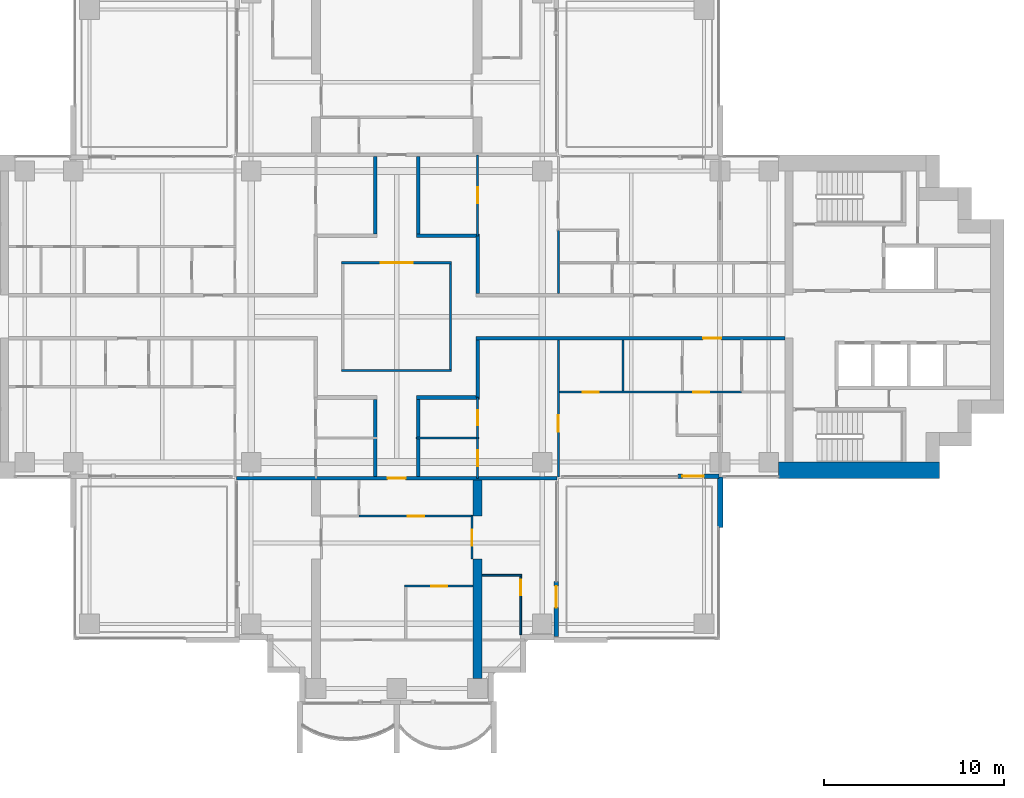
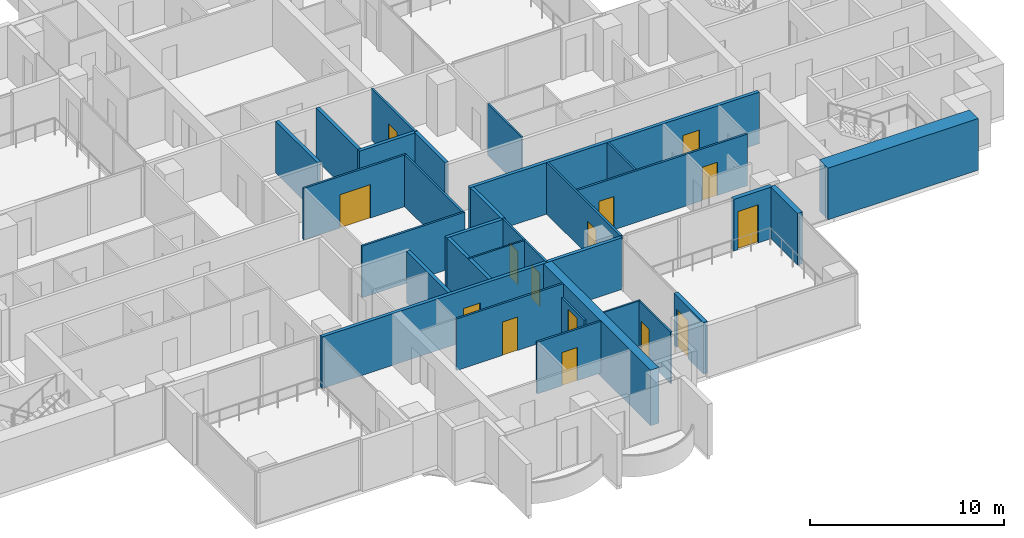
# One storey, part 11 of 19: 31 walls, 15 doors, 15 openings.
"""IFC4 building model written with IfcOpenShell, lengths in metres."""

from ifc_helpers import new_model, si_unit, direction, frame, frame_2d, origin, place, context, subcontext, project, spatial, polyline, rectangle, outline, extrude, material, layer, layer_set, material_profile, profile_set, type_object, element, fill, save


model = new_model("IFC4")

# Units and contexts
model_context = context("Model", 3, precision=1e-05, world=origin(), true_north=direction((0.0, 1.0)))
body_context = subcontext(model_context, "Body", "Model", "MODEL_VIEW")
ifc_project = project(units=[si_unit("LENGTHUNIT", "METRE"), si_unit("AREAUNIT", "SQUARE_METRE"), si_unit("VOLUMEUNIT", "CUBIC_METRE"), si_unit("PLANEANGLEUNIT", "RADIAN"), si_unit("MASSUNIT", "GRAM", prefix="KILO")], contexts=[model_context])

# Site, building, storey
site_placement = place(None, origin())
site = spatial("IfcSite", under=ifc_project, at=site_placement, CompositionType="ELEMENT")
building_placement = place(site_placement, origin())
building = spatial("IfcBuilding", under=site, at=building_placement, Name="Perihelion Cross Residences", CompositionType="ELEMENT")
storey_placement = place(building_placement, frame((0.0, 0.0, 144.39990234375)))
storey = spatial("IfcBuildingStorey", under=building, at=storey_placement, Name="L35", CompositionType="ELEMENT", Elevation=144.39990234375)

# Walls
ifc_material_1 = material(Name="Plasterboard partition")
ifc_layer_1 = layer(ifc_material_1, 0.199951171875)
ifc_layer_set_1 = layer_set([ifc_layer_1], Name="Apartment separation wall 200")
wall_type_1 = type_object("IfcWallType", Name="Apartment separation wall 200", PredefinedType="PARTITIONING", material=ifc_layer_set_1)
wall_1_placement = place(storey_placement, frame((4.5, 4.5, 0.0), z_axis=(0.0, 0.0, 1.0), x_axis=(0.0, -1.0, 0.0)))
element("IfcWall", 1, at=wall_1_placement, inside=storey, type_object=wall_type_1, Name="Partition L35 W006", PredefinedType="PARTITIONING", context=body_context, shape_type="SweptSolid", body=[
    extrude(rectangle(XDim=3.199951171875, YDim=0.199951171875, at=frame_2d((1.60009765625, 0.0))), origin(), (0.0, 0.0, 1.0), 3.25),
])
wall_2_placement = place(storey_placement, frame((1.199951171875, 8.89990234375, 0.0), z_axis=(0.0, 0.0, 1.0), x_axis=(0.0, -1.0, 0.0)))
element("IfcWall", 2, at=wall_2_placement, inside=storey, type_object=wall_type_1, Name="Partition L35 W007", PredefinedType="PARTITIONING", context=body_context, shape_type="SweptSolid", body=[
    extrude(rectangle(XDim=4.2998046875, YDim=0.199951171875, at=frame_2d((2.14990234375, 0.0))), origin(), (0.0, 0.0, 1.0), 3.25),
])
wall_3_placement = place(storey_placement, frame((1.10009765625, 4.5, 0.0), z_axis=(0.0, 0.0, 1.0), x_axis=(1.0, 0.0, 0.0)))
element("IfcWall", 3, at=wall_3_placement, inside=storey, type_object=wall_type_1, Name="Partition L35 W008", PredefinedType="PARTITIONING", context=body_context, shape_type="SweptSolid", body=[
    extrude(rectangle(XDim=3.5, YDim=0.199951171875, at=frame_2d((1.75, 0.0))), origin(), (0.0, 0.0, 1.0), 3.25),
])

# Wall, opening, door
wall_4_placement = place(storey_placement, frame((21.60009765625, -1.199951171875, 0.0), z_axis=(0.0, 0.0, 1.0), x_axis=(-1.0, 0.0, 0.0)))
wall_4 = element("IfcWall", 4, at=wall_4_placement, inside=storey, type_object=wall_type_1, Name="Partition L35 W009", PredefinedType="PARTITIONING", context=body_context, shape_type="SweptSolid", body=[
    extrude(rectangle(XDim=17.2001953125, YDim=0.199951171875, at=frame_2d((8.60009765625, 0.0))), origin(), (0.0, 0.0, 1.0), 3.25),
])
opening_1_placement = place(wall_4_placement, frame((3.550048828125, 0.0, 0.0)))
opening_1 = element("IfcOpeningElement", 5, at=opening_1_placement, cuts=wall_4, Name="Opening L35.A51", PredefinedType="OPENING", context=body_context, shape_type="SweptSolid", body=[
    extrude(rectangle(XDim=1.0, YDim=2.10009765625, at=frame_2d((0.5, 1.050048828125))), frame((0.0, 0.10986328125, 0.0), z_axis=(0.0, -1.0, 0.0), x_axis=(1.0, 0.0, 0.0)), (0.0, 0.0, 1.0), 0.219970703125),
])
ifc_material_2 = material(Name="Timber door leaf", Category="wood")
door_type_1 = type_object("IfcDoorType", Name="Flat entrance door 1000 x 2100", OperationType="SINGLE_SWING_LEFT", PredefinedType="DOOR", material=ifc_material_2)
door_1_placement = place(opening_1_placement, origin())
door_1 = element("IfcDoor", 6, at=door_1_placement, inside=storey, type_object=door_type_1, Name="Door L35.A51", OperationType="SINGLE_SWING_LEFT", OverallHeight=2.10009765625, OverallWidth=1.0, PredefinedType="DOOR", context=body_context, shape_type="SweptSolid", body=[
    extrude(rectangle(XDim=1.0, YDim=2.10009765625, at=frame_2d((0.5, 1.050048828125))), frame((0.0, 0.02490234375, 0.0), z_axis=(0.0, -1.0, 0.0), x_axis=(1.0, 0.0, 0.0)), (0.0, 0.0, 1.0), 0.050048828125),
])
fill(opening_1, door_1)

# Walls
wall_5_placement = place(storey_placement, frame((4.5, -1.300048828125, 0.0), z_axis=(0.0, 0.0, 1.0), x_axis=(0.0, -1.0, 0.0)))
element("IfcWall", 7, at=wall_5_placement, inside=storey, type_object=wall_type_1, Name="Partition L35 W010", PredefinedType="PARTITIONING", context=body_context, shape_type="SweptSolid", body=[
    extrude(rectangle(XDim=3.199951171875, YDim=0.199951171875, at=frame_2d((1.60009765625, 0.0))), origin(), (0.0, 0.0, 1.0), 3.25),
])
wall_6_placement = place(storey_placement, frame((4.60009765625, -4.5, 0.0), z_axis=(0.0, 0.0, 1.0), x_axis=(-1.0, 0.0, 0.0)))
element("IfcWall", 8, at=wall_6_placement, inside=storey, type_object=wall_type_1, Name="Partition L35 W011", PredefinedType="PARTITIONING", context=body_context, shape_type="SweptSolid", body=[
    extrude(rectangle(XDim=3.5, YDim=0.199951171875, at=frame_2d((1.75, 0.0))), origin(), (0.0, 0.0, 1.0), 3.25),
])
for number, where, z_axis, x_axis, name in (
    (9, (1.199951171875, -4.60009765625, 0.0), (0.0, 0.0, 1.0), (0.0, -1.0, 0.0), "Partition L35 W012"),
    (10, (-1.199951171875, 4.60009765625, 0.0), (0.0, 0.0, 1.0), (0.0, 1.0, 0.0), "Partition L35 W016"),
    (11, (-1.199951171875, -8.89990234375, 0.0), (0.0, 0.0, 1.0), (0.0, 1.0, 0.0), "Partition L35 W019"),
):
    element("IfcWall", number, at=place(storey_placement, frame(where, z_axis=z_axis, x_axis=x_axis)), inside=storey, type_object=wall_type_1, Name=name, PredefinedType="PARTITIONING", context=body_context, shape_type="SweptSolid", body=[
        extrude(rectangle(XDim=4.2998046875, YDim=0.199951171875, at=frame_2d((2.14990234375, 0.0))), origin(), (0.0, 0.0, 1.0), 3.25),
    ])

# Wall, opening, door
wall_7_placement = place(storey_placement, frame((8.919921875, -9.0, 0.0), z_axis=(0.0, 0.0, 1.0), x_axis=(-1.0, 0.0, 0.0)))
wall_7 = element("IfcWall", 12, at=wall_7_placement, inside=storey, type_object=wall_type_1, Name="Partition L35 W022", PredefinedType="PARTITIONING", context=body_context, shape_type="SweptSolid", body=[
    extrude(rectangle(XDim=17.83984375, YDim=0.199951171875, at=frame_2d((8.919921875, 0.0))), origin(), (0.0, 0.0, 1.0), 3.25),
])
opening_2_placement = place(wall_7_placement, frame((8.419921875, 0.0, 0.0)))
opening_2 = element("IfcOpeningElement", 13, at=opening_2_placement, cuts=wall_7, Name="Opening L35.A44", PredefinedType="OPENING", context=body_context, shape_type="SweptSolid", body=[
    extrude(rectangle(XDim=1.0, YDim=2.10009765625, at=frame_2d((0.5, 1.050048828125))), frame((0.0, 0.10986328125, 0.0), z_axis=(0.0, -1.0, 0.0), x_axis=(1.0, 0.0, 0.0)), (0.0, 0.0, 1.0), 0.219970703125),
])
door_2_placement = place(opening_2_placement, origin())
door_2 = element("IfcDoor", 14, at=door_2_placement, inside=storey, type_object=door_type_1, Name="Door L35.A44", OperationType="SINGLE_SWING_RIGHT", OverallHeight=2.10009765625, OverallWidth=1.0, PredefinedType="DOOR", context=body_context, shape_type="SweptSolid", body=[
    extrude(rectangle(XDim=1.0, YDim=2.10009765625, at=frame_2d((0.5, 1.050048828125))), frame((0.0, 0.02490234375, 0.0), z_axis=(0.0, -1.0, 0.0), x_axis=(1.0, 0.0, 0.0)), (0.0, 0.0, 1.0), 0.050048828125),
])
fill(opening_2, door_2)

ifc_material_3 = material(Name="Concrete C30/37, bronze-clad", Category="concrete")
ifc_layer_2 = layer(ifc_material_3, 0.25)
ifc_layer_set_2 = layer_set([ifc_layer_2], Name="Bronze-clad pier wall 250")
wall_type_2 = type_object("IfcWallType", Name="Bronze-clad pier wall 250", PredefinedType="SOLIDWALL", material=ifc_layer_set_2)
wall_8_placement = place(storey_placement, frame((8.875, -17.800048828125, 0.0), z_axis=(0.0, 0.0, 1.0), x_axis=(0.0, 1.0, 0.0)))
wall_8 = element("IfcWall", 15, at=wall_8_placement, inside=storey, type_object=wall_type_2, Name="Wall FW1 L35 south side east bay 1 pier", PredefinedType="SOLIDWALL", context=body_context, shape_type="SweptSolid", body=[
    extrude(rectangle(XDim=3.050048828125, YDim=0.25, at=frame_2d((1.52490234375, 0.0))), origin(), (0.0, 0.0, 1.0), 3.25),
])
opening_3_placement = place(wall_8_placement, frame((1.60009765625, 0.0, 0.0)))
opening_3 = element("IfcOpeningElement", 16, at=opening_3_placement, cuts=wall_8, Name="Opening L35.E13", PredefinedType="OPENING", context=body_context, shape_type="SweptSolid", body=[
    extrude(rectangle(XDim=1.199951171875, YDim=2.39990234375, at=frame_2d((0.60009765625, 1.199951171875))), frame((0.0, 0.135009765625, 0.0), z_axis=(0.0, -1.0, 0.0), x_axis=(1.0, 0.0, 0.0)), (0.0, 0.0, 1.0), 0.27001953125),
])
ifc_material_4 = material(Name="Bronze anodised aluminium, glazed", Category="aluminium")
door_type_2 = type_object("IfcDoorType", Name="Balcony door 1200 x 2400", OperationType="NOTDEFINED", PredefinedType="DOOR", material=ifc_material_4)
door_3_placement = place(opening_3_placement, origin())
door_3 = element("IfcDoor", 17, at=door_3_placement, inside=storey, type_object=door_type_2, Name="Door L35.E13 south side east bay 1", OperationType="SINGLE_SWING_RIGHT", OverallHeight=2.39990234375, OverallWidth=1.199951171875, PredefinedType="DOOR", context=body_context, shape_type="SweptSolid", body=[
    extrude(rectangle(XDim=1.199951171875, YDim=2.39990234375, at=frame_2d((0.60009765625, 1.199951171875))), frame((0.0, 0.02490234375, 0.0), z_axis=(0.0, -1.0, 0.0), x_axis=(1.0, 0.0, 0.0)), (0.0, 0.0, 1.0), 0.050048828125),
])
fill(opening_3, door_3)

wall_9_placement = place(storey_placement, frame((15.64990234375, -8.875, 0.0), z_axis=(0.0, 0.0, 1.0), x_axis=(1.0, 0.0, 0.0)))
wall_9 = element("IfcWall", 18, at=wall_9_placement, inside=storey, type_object=wall_type_2, Name="Wall FW1 L35 east side south bay 1 pier", PredefinedType="SOLIDWALL", context=body_context, shape_type="SweptSolid", body=[
    extrude(rectangle(XDim=2.2900390625, YDim=0.25, at=frame_2d((1.14501953125, 0.0))), origin(), (0.0, 0.0, 1.0), 3.25),
])
opening_4_placement = place(wall_9_placement, frame((0.25, 0.0, 0.0)))
opening_4 = element("IfcOpeningElement", 19, at=opening_4_placement, cuts=wall_9, Name="Opening L35.E14", PredefinedType="OPENING", context=body_context, shape_type="SweptSolid", body=[
    extrude(rectangle(XDim=1.199951171875, YDim=2.39990234375, at=frame_2d((0.60009765625, 1.199951171875))), frame((0.0, 0.135009765625, 0.0), z_axis=(0.0, -1.0, 0.0), x_axis=(1.0, 0.0, 0.0)), (0.0, 0.0, 1.0), 0.27001953125),
])
door_4_placement = place(opening_4_placement, origin())
door_4 = element("IfcDoor", 20, at=door_4_placement, inside=storey, type_object=door_type_2, Name="Door L35.E14 east side south bay 1", OperationType="SINGLE_SWING_LEFT", OverallHeight=2.39990234375, OverallWidth=1.199951171875, PredefinedType="DOOR", context=body_context, shape_type="SweptSolid", body=[
    extrude(rectangle(XDim=1.199951171875, YDim=2.39990234375, at=frame_2d((0.60009765625, 1.199951171875))), frame((0.0, 0.02490234375, 0.0), z_axis=(0.0, -1.0, 0.0), x_axis=(1.0, 0.0, 0.0)), (0.0, 0.0, 1.0), 0.050048828125),
])
fill(opening_4, door_4)

# Wall
ifc_material_5 = material(Name="Concrete C60/75", Category="concrete")
ifc_layer_3 = layer(ifc_material_5, 0.89990234375)
ifc_layer_set_3 = layer_set([ifc_layer_3], Name="Core wall, outer 900")
wall_type_3 = type_object("IfcWallType", Name="Core wall, outer 900", PredefinedType="SHEAR", material=ifc_layer_set_3)
wall_10_placement = place(storey_placement, frame((21.25, -8.550048828125, 0.0), z_axis=(0.0, 0.0, 1.0), x_axis=(1.0, 0.0, 0.0)))
element("IfcWall", 21, at=wall_10_placement, inside=storey, type_object=wall_type_3, Name="East core core wall, outer", PredefinedType="SHEAR", context=body_context, shape_type="SweptSolid", body=[
    extrude(rectangle(XDim=8.949951171875, YDim=0.89990234375, at=frame_2d((4.47509765625, 0.0))), origin(), (0.0, 0.0, 1.0), 3.25),
])

# Wall, opening, door
ifc_material_6 = material(Name="Plasterboard partition")
ifc_layer_4 = layer(ifc_material_6, 0.1201171875)
ifc_layer_set_4 = layer_set([ifc_layer_4], Name="Infill panel 120")
wall_type_4 = type_object("IfcWallType", Name="Infill panel 120", PredefinedType="PARTITIONING", material=ifc_layer_set_4)
wall_11_placement = place(storey_placement, frame((4.18994140625, -11.10009765625, 0.0), z_axis=(0.0, 0.0, 1.0), x_axis=(0.0, -1.0, 0.0)))
wall_11 = element("IfcWall", 22, at=wall_11_placement, inside=storey, type_object=wall_type_4, Name="Partition L35 WI05", PredefinedType="PARTITIONING", context=body_context, shape_type="SweptSolid", body=[
    extrude(rectangle(XDim=2.39990234375, YDim=0.1201171875, at=frame_2d((1.199951171875, 0.0))), origin(), (0.0, 0.0, 1.0), 2.400146484375),
])
opening_5_placement = place(wall_11_placement, frame((0.75, 0.0, 0.0)))
opening_5 = element("IfcOpeningElement", 23, at=opening_5_placement, cuts=wall_11, Name="Opening L35.A58", PredefinedType="OPENING", context=body_context, shape_type="SweptSolid", body=[
    extrude(rectangle(XDim=0.89990234375, YDim=2.10009765625, at=frame_2d((0.449951171875, 1.050048828125))), frame((0.0, 0.070068359375, 0.0), z_axis=(0.0, -1.0, 0.0), x_axis=(1.0, 0.0, 0.0)), (0.0, 0.0, 1.0), 0.14013671875),
])
ifc_material_7 = material(Name="Timber door leaf", Category="wood")
door_type_3 = type_object("IfcDoorType", Name="Interior room door 900 x 2100", OperationType="SINGLE_SWING_LEFT", PredefinedType="DOOR", material=ifc_material_7)
door_5_placement = place(opening_5_placement, origin())
door_5 = element("IfcDoor", 24, at=door_5_placement, inside=storey, type_object=door_type_3, Name="Door L35.A58", OperationType="SINGLE_SWING_LEFT", OverallHeight=2.10009765625, OverallWidth=0.89990234375, PredefinedType="DOOR", context=body_context, shape_type="SweptSolid", body=[
    extrude(rectangle(XDim=0.89990234375, YDim=2.10009765625, at=frame_2d((0.449951171875, 1.050048828125))), frame((0.0, 0.02490234375, 0.0), z_axis=(0.0, -1.0, 0.0), x_axis=(1.0, 0.0, 0.0)), (0.0, 0.0, 1.0), 0.050048828125),
])
fill(opening_5, door_5)

# Walls
ifc_material_8 = material(Name="Plasterboard partition")
ifc_layer_5 = layer(ifc_material_8, 0.1201171875)
ifc_layer_set_5 = layer_set([ifc_layer_5], Name="Partition wall 120")
wall_type_5 = type_object("IfcWallType", Name="Partition wall 120", PredefinedType="PARTITIONING", material=ifc_layer_set_5)
wall_12_placement = place(storey_placement, frame((-3.06005859375, -3.0, 0.0), z_axis=(0.0, 0.0, 1.0), x_axis=(1.0, 0.0, 0.0)))
element("IfcWall", 25, at=wall_12_placement, inside=storey, type_object=wall_type_5, Name="Partition L35 W001", PredefinedType="PARTITIONING", context=body_context, shape_type="SweptSolid", body=[
    extrude(rectangle(XDim=6.1201171875, YDim=0.1201171875, at=frame_2d((3.06005859375, 0.0))), origin(), (0.0, 0.0, 1.0), 3.25),
])
wall_13_placement = place(storey_placement, frame((3.0, -2.93994140625, 0.0), z_axis=(0.0, 0.0, 1.0), x_axis=(0.0, 1.0, 0.0)))
element("IfcWall", 26, at=wall_13_placement, inside=storey, type_object=wall_type_5, Name="Partition L35 W002", PredefinedType="PARTITIONING", context=body_context, shape_type="SweptSolid", body=[
    extrude(rectangle(XDim=5.8798828125, YDim=0.1201171875, at=frame_2d((2.93994140625, 0.0))), origin(), (0.0, 0.0, 1.0), 3.25),
])

# Wall, opening, door
wall_14_placement = place(storey_placement, frame((3.06005859375, 3.0, 0.0), z_axis=(0.0, 0.0, 1.0), x_axis=(-1.0, 0.0, 0.0)))
wall_14 = element("IfcWall", 27, at=wall_14_placement, inside=storey, type_object=wall_type_5, Name="Partition L35 W003", PredefinedType="PARTITIONING", context=body_context, shape_type="SweptSolid", body=[
    extrude(rectangle(XDim=6.1201171875, YDim=0.1201171875, at=frame_2d((3.06005859375, 0.0))), origin(), (0.0, 0.0, 1.0), 3.25),
])
opening_6_placement = place(wall_14_placement, frame((2.159912109375, 0.0, 0.0)))
opening_6 = element("IfcOpeningElement", 28, at=opening_6_placement, cuts=wall_14, Name="Opening L35.A01", PredefinedType="OPENING", context=body_context, shape_type="SweptSolid", body=[
    extrude(rectangle(XDim=1.800048828125, YDim=2.10009765625, at=frame_2d((0.89990234375, 1.050048828125))), frame((0.0, 0.070068359375, 0.0), z_axis=(0.0, -1.0, 0.0), x_axis=(1.0, 0.0, 0.0)), (0.0, 0.0, 1.0), 0.14013671875),
])
ifc_material_9 = material(Name="Glazed timber door leaf", Category="wood")
door_type_4 = type_object("IfcDoorType", Name="Interior double leaf door 1800 x 2100", OperationType="DOUBLE_DOOR_SINGLE_SWING", PredefinedType="DOOR", material=ifc_material_9)
door_6_placement = place(opening_6_placement, origin())
door_6 = element("IfcDoor", 29, at=door_6_placement, inside=storey, type_object=door_type_4, Name="Door L35.A01", OperationType="SINGLE_SWING_LEFT", OverallHeight=2.10009765625, OverallWidth=1.800048828125, PredefinedType="DOOR", context=body_context, shape_type="SweptSolid", body=[
    extrude(rectangle(XDim=1.800048828125, YDim=2.10009765625, at=frame_2d((0.89990234375, 1.050048828125))), frame((0.0, 0.02490234375, 0.0), z_axis=(0.0, -1.0, 0.0), x_axis=(1.0, 0.0, 0.0)), (0.0, 0.0, 1.0), 0.050048828125),
])
fill(opening_6, door_6)

wall_15_placement = place(storey_placement, frame((4.5, 4.5, 0.0), z_axis=(0.0, 0.0, 1.0), x_axis=(0.0, 1.0, 0.0)))
wall_15 = element("IfcWall", 30, at=wall_15_placement, inside=storey, type_object=wall_type_5, Name="Partition L35 W033", PredefinedType="PARTITIONING", context=body_context, shape_type="SweptSolid", body=[
    extrude(rectangle(XDim=4.5, YDim=0.1201171875, at=frame_2d((2.25, 0.0))), origin(), (0.0, 0.0, 1.0), 3.25),
])
opening_7_placement = place(wall_15_placement, frame((1.800048828125, 0.0, 0.0)))
opening_7 = element("IfcOpeningElement", 31, at=opening_7_placement, cuts=wall_15, Name="Opening L35.A03", PredefinedType="OPENING", context=body_context, shape_type="SweptSolid", body=[
    extrude(rectangle(XDim=0.89990234375, YDim=2.10009765625, at=frame_2d((0.449951171875, 1.050048828125))), frame((0.0, 0.070068359375, 0.0), z_axis=(0.0, -1.0, 0.0), x_axis=(1.0, 0.0, 0.0)), (0.0, 0.0, 1.0), 0.14013671875),
])
door_7_placement = place(opening_7_placement, origin())
door_7 = element("IfcDoor", 32, at=door_7_placement, inside=storey, type_object=door_type_3, Name="Door L35.A03", OperationType="SINGLE_SWING_LEFT", OverallHeight=2.10009765625, OverallWidth=0.89990234375, PredefinedType="DOOR", context=body_context, shape_type="SweptSolid", body=[
    extrude(rectangle(XDim=0.89990234375, YDim=2.10009765625, at=frame_2d((0.449951171875, 1.050048828125))), frame((0.0, 0.02490234375, 0.0), z_axis=(0.0, -1.0, 0.0), x_axis=(1.0, 0.0, 0.0)), (0.0, 0.0, 1.0), 0.050048828125),
])
fill(opening_7, door_7)

# Wall
wall_16_placement = place(storey_placement, frame((12.60009765625, -1.300048828125, 0.0), z_axis=(0.0, 0.0, 1.0), x_axis=(0.0, -1.0, 0.0)))
element("IfcWall", 33, at=wall_16_placement, inside=storey, type_object=wall_type_5, Name="Partition L35 W034", PredefinedType="PARTITIONING", context=body_context, shape_type="SweptSolid", body=[
    extrude(rectangle(XDim=2.83984375, YDim=0.1201171875, at=frame_2d((1.419921875, 0.0))), origin(), (0.0, 0.0, 1.0), 3.25),
])

# Wall, openings, doors
wall_17_placement = place(storey_placement, frame((19.199951171875, -4.199951171875, 0.0), z_axis=(0.0, 0.0, 1.0), x_axis=(-1.0, 0.0, 0.0)))
wall_17 = element("IfcWall", 34, at=wall_17_placement, inside=storey, type_object=wall_type_5, Name="Partition L35 W035", PredefinedType="PARTITIONING", context=body_context, shape_type="SweptSolid", body=[
    extrude(rectangle(XDim=10.260009765625, YDim=0.1201171875, at=frame_2d((5.1298828125, 0.0))), origin(), (0.0, 0.0, 1.0), 3.25),
])
opening_8_placement = place(wall_17_placement, frame((1.800048828125, 0.0, 0.0)))
opening_8 = element("IfcOpeningElement", 35, at=opening_8_placement, cuts=wall_17, Name="Opening L35.A17", PredefinedType="OPENING", context=body_context, shape_type="SweptSolid", body=[
    extrude(rectangle(XDim=0.89990234375, YDim=2.10009765625, at=frame_2d((0.449951171875, 1.050048828125))), frame((0.0, 0.070068359375, 0.0), z_axis=(0.0, -1.0, 0.0), x_axis=(1.0, 0.0, 0.0)), (0.0, 0.0, 1.0), 0.14013671875),
])
opening_9_placement = place(wall_17_placement, frame((7.949951171875, 0.0, 0.0)))
opening_9 = element("IfcOpeningElement", 36, at=opening_9_placement, cuts=wall_17, Name="Opening L35.A18", PredefinedType="OPENING", context=body_context, shape_type="SweptSolid", body=[
    extrude(rectangle(XDim=0.89990234375, YDim=2.10009765625, at=frame_2d((0.449951171875, 1.050048828125))), frame((0.0, 0.070068359375, 0.0), z_axis=(0.0, -1.0, 0.0), x_axis=(1.0, 0.0, 0.0)), (0.0, 0.0, 1.0), 0.14013671875),
])
door_8_placement = place(opening_8_placement, origin())
door_8 = element("IfcDoor", 37, at=door_8_placement, inside=storey, type_object=door_type_3, Name="Door L35.A17", OperationType="SINGLE_SWING_LEFT", OverallHeight=2.10009765625, OverallWidth=0.89990234375, PredefinedType="DOOR", context=body_context, shape_type="SweptSolid", body=[
    extrude(rectangle(XDim=0.89990234375, YDim=2.10009765625, at=frame_2d((0.449951171875, 1.050048828125))), frame((0.0, 0.02490234375, 0.0), z_axis=(0.0, -1.0, 0.0), x_axis=(1.0, 0.0, 0.0)), (0.0, 0.0, 1.0), 0.050048828125),
])
fill(opening_8, door_8)
door_9_placement = place(opening_9_placement, origin())
door_9 = element("IfcDoor", 38, at=door_9_placement, inside=storey, type_object=door_type_3, Name="Door L35.A18", OperationType="SINGLE_SWING_RIGHT", OverallHeight=2.10009765625, OverallWidth=0.89990234375, PredefinedType="DOOR", context=body_context, shape_type="SweptSolid", body=[
    extrude(rectangle(XDim=0.89990234375, YDim=2.10009765625, at=frame_2d((0.449951171875, 1.050048828125))), frame((0.0, 0.02490234375, 0.0), z_axis=(0.0, -1.0, 0.0), x_axis=(1.0, 0.0, 0.0)), (0.0, 0.0, 1.0), 0.050048828125),
])
fill(opening_9, door_9)

# Wall, opening, door
wall_18_placement = place(storey_placement, frame((9.0, -8.919921875, 0.0), z_axis=(0.0, 0.0, 1.0), x_axis=(0.0, 1.0, 0.0)))
wall_18 = element("IfcWall", 39, at=wall_18_placement, inside=storey, type_object=wall_type_5, Name="Partition L35 W036", PredefinedType="PARTITIONING", context=body_context, shape_type="SweptSolid", body=[
    extrude(rectangle(XDim=7.619873046875, YDim=0.1201171875, at=frame_2d((3.81005859375, 0.0))), origin(), (0.0, 0.0, 1.0), 3.25),
])
opening_10_placement = place(wall_18_placement, frame((2.52001953125, 0.0, 0.0)))
opening_10 = element("IfcOpeningElement", 40, at=opening_10_placement, cuts=wall_18, Name="Opening L35.A12", PredefinedType="OPENING", context=body_context, shape_type="SweptSolid", body=[
    extrude(rectangle(XDim=0.89990234375, YDim=2.10009765625, at=frame_2d((0.449951171875, 1.050048828125))), frame((0.0, 0.070068359375, 0.0), z_axis=(0.0, -1.0, 0.0), x_axis=(1.0, 0.0, 0.0)), (0.0, 0.0, 1.0), 0.14013671875),
])
door_10_placement = place(opening_10_placement, origin())
door_10 = element("IfcDoor", 41, at=door_10_placement, inside=storey, type_object=door_type_3, Name="Door L35.A12", OperationType="SINGLE_SWING_RIGHT", OverallHeight=2.10009765625, OverallWidth=0.89990234375, PredefinedType="DOOR", context=body_context, shape_type="SweptSolid", body=[
    extrude(rectangle(XDim=0.89990234375, YDim=2.10009765625, at=frame_2d((0.449951171875, 1.050048828125))), frame((0.0, 0.02490234375, 0.0), z_axis=(0.0, -1.0, 0.0), x_axis=(1.0, 0.0, 0.0)), (0.0, 0.0, 1.0), 0.050048828125),
])
fill(opening_10, door_10)

wall_19_placement = place(storey_placement, frame((4.5, -9.0, 0.0), z_axis=(0.0, 0.0, 1.0), x_axis=(0.0, 1.0, 0.0)))
wall_19 = element("IfcWall", 42, at=wall_19_placement, inside=storey, type_object=wall_type_5, Name="Partition L35 W044", PredefinedType="PARTITIONING", context=body_context, shape_type="SweptSolid", body=[
    extrude(rectangle(XDim=2.25, YDim=0.1201171875, at=frame_2d((1.125, 0.0))), origin(), (0.0, 0.0, 1.0), 3.25),
])
opening_11_placement = place(wall_19_placement, frame((0.675048828125, 0.0, 0.0)))
opening_11 = element("IfcOpeningElement", 43, at=opening_11_placement, cuts=wall_19, Name="Opening L35.A14", PredefinedType="OPENING", context=body_context, shape_type="SweptSolid", body=[
    extrude(rectangle(XDim=0.89990234375, YDim=2.10009765625, at=frame_2d((0.449951171875, 1.050048828125))), frame((0.0, 0.070068359375, 0.0), z_axis=(0.0, -1.0, 0.0), x_axis=(1.0, 0.0, 0.0)), (0.0, 0.0, 1.0), 0.14013671875),
])
door_11_placement = place(opening_11_placement, origin())
door_11 = element("IfcDoor", 44, at=door_11_placement, inside=storey, type_object=door_type_3, Name="Door L35.A14", OperationType="SINGLE_SWING_LEFT", OverallHeight=2.10009765625, OverallWidth=0.89990234375, PredefinedType="DOOR", context=body_context, shape_type="SweptSolid", body=[
    extrude(rectangle(XDim=0.89990234375, YDim=2.10009765625, at=frame_2d((0.449951171875, 1.050048828125))), frame((0.0, 0.02490234375, 0.0), z_axis=(0.0, -1.0, 0.0), x_axis=(1.0, 0.0, 0.0)), (0.0, 0.0, 1.0), 0.050048828125),
])
fill(opening_11, door_11)

wall_20_placement = place(storey_placement, frame((4.25, -11.10009765625, 0.0), z_axis=(0.0, 0.0, 1.0), x_axis=(-1.0, 0.0, 0.0)))
wall_20 = element("IfcWall", 45, at=wall_20_placement, inside=storey, type_object=wall_type_5, Name="Partition L35 W088", PredefinedType="PARTITIONING", context=body_context, shape_type="SweptSolid", body=[
    extrude(rectangle(XDim=6.35009765625, YDim=0.1201171875, at=frame_2d((3.175048828125, 0.0))), origin(), (0.0, 0.0, 1.0), 3.25),
])
opening_12_placement = place(wall_20_placement, frame((2.72509765625, 0.0, 0.0)))
opening_12 = element("IfcOpeningElement", 46, at=opening_12_placement, cuts=wall_20, Name="Opening L35.A46", PredefinedType="OPENING", context=body_context, shape_type="SweptSolid", body=[
    extrude(rectangle(XDim=0.89990234375, YDim=2.10009765625, at=frame_2d((0.449951171875, 1.050048828125))), frame((0.0, 0.070068359375, 0.0), z_axis=(0.0, -1.0, 0.0), x_axis=(1.0, 0.0, 0.0)), (0.0, 0.0, 1.0), 0.14013671875),
])
door_12_placement = place(opening_12_placement, origin())
door_12 = element("IfcDoor", 47, at=door_12_placement, inside=storey, type_object=door_type_3, Name="Door L35.A46", OperationType="SINGLE_SWING_LEFT", OverallHeight=2.10009765625, OverallWidth=0.89990234375, PredefinedType="DOOR", context=body_context, shape_type="SweptSolid", body=[
    extrude(rectangle(XDim=0.89990234375, YDim=2.10009765625, at=frame_2d((0.449951171875, 1.050048828125))), frame((0.0, 0.02490234375, 0.0), z_axis=(0.0, -1.0, 0.0), x_axis=(1.0, 0.0, 0.0)), (0.0, 0.0, 1.0), 0.050048828125),
])
fill(opening_12, door_12)

wall_21_placement = place(storey_placement, frame((4.25, -15.0, 0.0), z_axis=(0.0, 0.0, 1.0), x_axis=(-1.0, 0.0, 0.0)))
wall_21 = element("IfcWall", 48, at=wall_21_placement, inside=storey, type_object=wall_type_5, Name="Partition L35 W090", PredefinedType="PARTITIONING", context=body_context, shape_type="SweptSolid", body=[
    extrude(rectangle(XDim=3.81005859375, YDim=0.1201171875, at=frame_2d((1.905029296875, 0.0))), origin(), (0.0, 0.0, 1.0), 3.25),
])
opening_13_placement = place(wall_21_placement, frame((1.425048828125, 0.0, 0.0)))
opening_13 = element("IfcOpeningElement", 49, at=opening_13_placement, cuts=wall_21, Name="Opening L35.A47", PredefinedType="OPENING", context=body_context, shape_type="SweptSolid", body=[
    extrude(rectangle(XDim=0.89990234375, YDim=2.10009765625, at=frame_2d((0.449951171875, 1.050048828125))), frame((0.0, 0.070068359375, 0.0), z_axis=(0.0, -1.0, 0.0), x_axis=(1.0, 0.0, 0.0)), (0.0, 0.0, 1.0), 0.14013671875),
])
door_13_placement = place(opening_13_placement, origin())
door_13 = element("IfcDoor", 50, at=door_13_placement, inside=storey, type_object=door_type_3, Name="Door L35.A47", OperationType="SINGLE_SWING_RIGHT", OverallHeight=2.10009765625, OverallWidth=0.89990234375, PredefinedType="DOOR", context=body_context, shape_type="SweptSolid", body=[
    extrude(rectangle(XDim=0.89990234375, YDim=2.10009765625, at=frame_2d((0.449951171875, 1.050048828125))), frame((0.0, 0.02490234375, 0.0), z_axis=(0.0, -1.0, 0.0), x_axis=(1.0, 0.0, 0.0)), (0.0, 0.0, 1.0), 0.050048828125),
])
fill(opening_13, door_13)

# Walls
ifc_material_10 = material(Name="Precast concrete C50/60", Category="concrete")
ifc_layer_6 = layer(ifc_material_10, 0.300048828125)
ifc_layer_set_6 = layer_set([ifc_layer_6], Name="Precast concrete C50/60 blade wall 300")
wall_type_6 = type_object("IfcWallType", Name="Precast concrete C50/60 blade wall 300", PredefinedType="SOLIDWALL", material=ifc_layer_set_6)
wall_22_placement = place(storey_placement, frame((18.0, -8.919921875, 0.0), z_axis=(0.0, 0.0, 1.0), x_axis=(0.0, -1.0, 0.0)))
element("IfcWall", 51, at=wall_22_placement, inside=storey, type_object=wall_type_6, Name="Wall BL1 L35 no. 10", PredefinedType="SOLIDWALL", context=body_context, shape_type="SweptSolid", body=[
    extrude(rectangle(XDim=2.820068359375, YDim=0.300048828125, at=frame_2d((1.41015625, 0.0))), origin(), (0.0, 0.0, 1.0), 3.25),
])
ifc_material_11 = material(Name="Concrete C60/75", Category="concrete")
ifc_material_profile = material_profile(ifc_material_11, outline(polyline([(0.0, 0.0), (6.64990234375, 0.0), (6.64990234375, 2.64990234375), (9.050048828125, 2.64990234375), (9.050048828125, 0.0), (11.14990234375, 0.0), (11.14990234375, 3.5), (0.0, 3.5), (0.0, 0.0)])), Name="Tip spine wall")
ifc_profile_set = profile_set([ifc_material_profile], Name="Concrete C60/75")
wall_type_7 = type_object("IfcWallType", Name="Tip spine wall 500 with 1 door openings 11150 long 3500 high concrete C60/75", PredefinedType="SHEAR", material=ifc_profile_set)
wall_23_placement = place(storey_placement, frame((4.25, -20.14990234375, -0.25), z_axis=(1.0, 0.0, 0.0), x_axis=(0.0, 1.0, 0.0)))
element("IfcWall", 52, at=wall_23_placement, inside=storey, type_object=wall_type_7, Name="Shear wall SW33 L35 south east", PredefinedType="SHEAR", context=body_context, shape_type="SweptSolid", body=[
    extrude(outline(polyline([(0.0, 0.0), (6.64990234375, 0.0), (6.64990234375, 2.64990234375), (9.050048828125, 2.64990234375), (9.050048828125, 0.0), (11.14990234375, 0.0), (11.14990234375, 3.5), (0.0, 3.5), (0.0, 0.0)])), origin(), (0.0, 0.0, 1.0), 0.5),
])
ifc_material_12 = material(Name="Plasterboard partition")
ifc_layer_7 = layer(ifc_material_12, 0.10009765625)
ifc_layer_set_7 = layer_set([ifc_layer_7], Name="Wet room wall 100")
wall_type_8 = type_object("IfcWallType", Name="Wet room wall 100", PredefinedType="PARTITIONING", material=ifc_layer_set_7)
wall_24_placement = place(storey_placement, frame((9.0, 1.300048828125, 0.0), z_axis=(0.0, 0.0, 1.0), x_axis=(0.0, 1.0, 0.0)))
element("IfcWall", 53, at=wall_24_placement, inside=storey, type_object=wall_type_8, Name="Partition L35 W025", PredefinedType="PARTITIONING", context=body_context, shape_type="SweptSolid", body=[
    extrude(rectangle(XDim=3.5, YDim=0.10009765625, at=frame_2d((1.75, 0.0))), origin(), (0.0, 0.0, 1.0), 3.25),
])

# Wall, opening, door
wall_25_placement = place(storey_placement, frame((4.5, -6.75, 0.0), z_axis=(0.0, 0.0, 1.0), x_axis=(0.0, 1.0, 0.0)))
wall_25 = element("IfcWall", 54, at=wall_25_placement, inside=storey, type_object=wall_type_8, Name="Partition L35 W043", PredefinedType="PARTITIONING", context=body_context, shape_type="SweptSolid", body=[
    extrude(rectangle(XDim=2.25, YDim=0.10009765625, at=frame_2d((1.125, 0.0))), origin(), (0.0, 0.0, 1.0), 3.25),
])
opening_14_placement = place(wall_25_placement, frame((0.699951171875, 0.0, 0.0)))
opening_14 = element("IfcOpeningElement", 55, at=opening_14_placement, cuts=wall_25, Name="Opening L35.A10", PredefinedType="OPENING", context=body_context, shape_type="SweptSolid", body=[
    extrude(rectangle(XDim=0.85009765625, YDim=2.10009765625, at=frame_2d((0.425048828125, 1.050048828125))), frame((0.0, 0.06005859375, 0.0), z_axis=(0.0, -1.0, 0.0), x_axis=(1.0, 0.0, 0.0)), (0.0, 0.0, 1.0), 0.1201171875),
])
ifc_material_13 = material(Name="Timber door leaf", Category="wood")
door_type_5 = type_object("IfcDoorType", Name="Interior bathroom door 850 x 2100", OperationType="SINGLE_SWING_LEFT", PredefinedType="DOOR", material=ifc_material_13)
door_14_placement = place(opening_14_placement, origin())
door_14 = element("IfcDoor", 56, at=door_14_placement, inside=storey, type_object=door_type_5, Name="Door L35.A10", OperationType="SINGLE_SWING_RIGHT", OverallHeight=2.10009765625, OverallWidth=0.85009765625, PredefinedType="DOOR", context=body_context, shape_type="SweptSolid", body=[
    extrude(rectangle(XDim=0.85009765625, YDim=2.10009765625, at=frame_2d((0.425048828125, 1.050048828125))), frame((0.0, 0.02490234375, 0.0), z_axis=(0.0, -1.0, 0.0), x_axis=(1.0, 0.0, 0.0)), (0.0, 0.0, 1.0), 0.050048828125),
])
fill(opening_14, door_14)

# Wall
wall_26_placement = place(storey_placement, frame((4.56005859375, -6.75, 0.0), z_axis=(0.0, 0.0, 1.0), x_axis=(-1.0, 0.0, 0.0)))
element("IfcWall", 57, at=wall_26_placement, inside=storey, type_object=wall_type_8, Name="Partition L35 W045", PredefinedType="PARTITIONING", context=body_context, shape_type="SweptSolid", body=[
    extrude(rectangle(XDim=3.4599609375, YDim=0.10009765625, at=frame_2d((1.72998046875, 0.0))), origin(), (0.0, 0.0, 1.0), 3.25),
])

# Wall, opening, door
wall_27_placement = place(storey_placement, frame((6.89990234375, -17.699951171875, 0.0), z_axis=(0.0, 0.0, 1.0), x_axis=(0.0, 1.0, 0.0)))
wall_27 = element("IfcWall", 58, at=wall_27_placement, inside=storey, type_object=wall_type_8, Name="Partition L35 W093", PredefinedType="PARTITIONING", context=body_context, shape_type="SweptSolid", body=[
    extrude(rectangle(XDim=3.25, YDim=0.10009765625, at=frame_2d((1.625, 0.0))), origin(), (0.0, 0.0, 1.0), 3.25),
])
opening_15_placement = place(wall_27_placement, frame((2.199951171875, 0.0, 0.0)))
opening_15 = element("IfcOpeningElement", 59, at=opening_15_placement, cuts=wall_27, Name="Opening L35.A49", PredefinedType="OPENING", context=body_context, shape_type="SweptSolid", body=[
    extrude(rectangle(XDim=0.85009765625, YDim=2.10009765625, at=frame_2d((0.425048828125, 1.050048828125))), frame((0.0, 0.06005859375, 0.0), z_axis=(0.0, -1.0, 0.0), x_axis=(1.0, 0.0, 0.0)), (0.0, 0.0, 1.0), 0.1201171875),
])
door_15_placement = place(opening_15_placement, origin())
door_15 = element("IfcDoor", 60, at=door_15_placement, inside=storey, type_object=door_type_5, Name="Door L35.A49", OperationType="SINGLE_SWING_RIGHT", OverallHeight=2.10009765625, OverallWidth=0.85009765625, PredefinedType="DOOR", context=body_context, shape_type="SweptSolid", body=[
    extrude(rectangle(XDim=0.85009765625, YDim=2.10009765625, at=frame_2d((0.425048828125, 1.050048828125))), frame((0.0, 0.02490234375, 0.0), z_axis=(0.0, -1.0, 0.0), x_axis=(1.0, 0.0, 0.0)), (0.0, 0.0, 1.0), 0.050048828125),
])
fill(opening_15, door_15)

# Wall
wall_28_placement = place(storey_placement, frame((6.949951171875, -14.39990234375, 0.0), z_axis=(0.0, 0.0, 1.0), x_axis=(-1.0, 0.0, 0.0)))
element("IfcWall", 61, at=wall_28_placement, inside=storey, type_object=wall_type_8, Name="Partition L35 W094", PredefinedType="PARTITIONING", context=body_context, shape_type="SweptSolid", body=[
    extrude(rectangle(XDim=2.199951171875, YDim=0.10009765625, at=frame_2d((1.10009765625, 0.0))), origin(), (0.0, 0.0, 1.0), 3.25),
])

save(model, "model.ifc")
